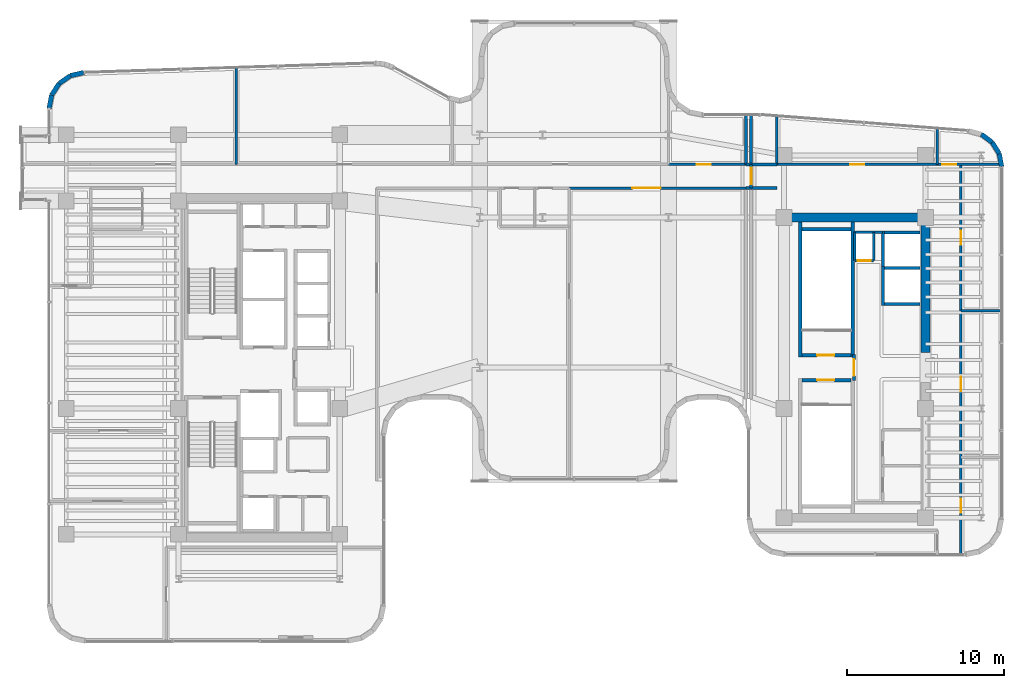
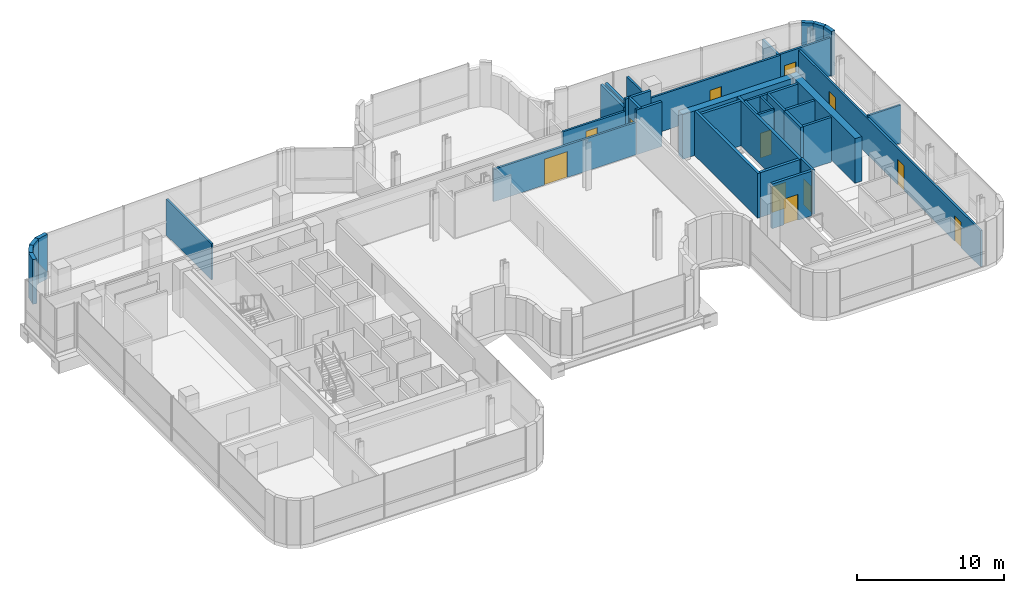
# One storey, part 30 of 35: 38 walls, 12 doors, 12 openings.
"""IFC4 building model written with IfcOpenShell, lengths in metres."""

import ifcopenshell
import ifcopenshell.guid

model = None  # the IFC model being written
_history = None  # IfcOwnerHistory: only IFC2X3 demands one
_inside = {}  # id of a spatial element -> (the spatial element, [elements in it])
_under = {}  # id of a project, library or spatial element -> (it, [spatial elements below it])
_declared = {}  # id of a project -> (the project, [libraries it declares])
_typed = {}  # id of a type object -> (the type object, [elements of that type])
_made_of = {}  # id of a material, layer set ... -> (it, [elements and type objects made of it])


def new_model(schema):
    """Start an empty IFC model of exactly this schema.

    Asked for "IFC4X3", IfcOpenShell would pick the latest addendum, in which some entities
    have other attributes; the version numbers below select the first issue.
    IFC2X3 requires an IfcOwnerHistory on every rooted entity: one is made here for all.
    """
    global model, _history
    if schema == "IFC4X3":
        model = ifcopenshell.file(schema_version=(4, 3, 0, 0))
    else:
        model = ifcopenshell.file(schema=schema)
    _inside.clear()
    _under.clear()
    _declared.clear()
    _typed.clear()
    _made_of.clear()
    _history = None
    if model.schema == "IFC2X3":
        org = make("IfcOrganization", Name="unknown")
        user = make(
            "IfcPersonAndOrganization",
            ThePerson=make("IfcPerson", FamilyName="unknown"),
            TheOrganization=org,
        )
        app = make(
            "IfcApplication",
            ApplicationDeveloper=org,
            Version="unknown",
            ApplicationFullName="unknown",
            ApplicationIdentifier="unknown",
        )
        _history = make(
            "IfcOwnerHistory",
            OwningUser=user,
            OwningApplication=app,
            ChangeAction="ADDED",
            CreationDate=0,
        )
    return model


def make(cls, **values):
    """One entity of the class cls with the attributes given. An attribute that is None is left unset."""
    return model.create_entity(
        cls, **{name: value for name, value in values.items() if value is not None}
    )


def rooted(cls, **values):
    """An entity with a GlobalId (a new one), such as an element, a storey or a relation."""
    return make(cls, GlobalId=ifcopenshell.guid.new(), OwnerHistory=_history, **values)


def si_unit(unit_type, name, prefix=None):
    """IfcSIUnit, for example si_unit("LENGTHUNIT", "METRE", prefix="MILLI")."""
    return make("IfcSIUnit", UnitType=unit_type, Prefix=prefix, Name=name)


def assignment(units):
    """IfcUnitAssignment: the units of a project."""
    return None if units is None else make("IfcUnitAssignment", Units=units)


def point(xyz):
    """IfcCartesianPoint."""
    return None if xyz is None else make("IfcCartesianPoint", Coordinates=xyz)


def direction(xyz):
    """IfcDirection."""
    return None if xyz is None else make("IfcDirection", DirectionRatios=xyz)


def frame(location, z_axis=None, x_axis=None):
    """IfcAxis2Placement3D, a coordinate frame: its origin and axes. An axis left out is left unset."""
    return make(
        "IfcAxis2Placement3D",
        Location=point(location),
        Axis=direction(z_axis),
        RefDirection=direction(x_axis),
    )


def frame_2d(location, x_axis=None):
    """IfcAxis2Placement2D, a coordinate frame in the plane: its origin and x axis."""
    return make(
        "IfcAxis2Placement2D", Location=point(location), RefDirection=direction(x_axis)
    )


def origin():
    """The frame at (0, 0, 0) with its axes left unset."""
    return frame((0.0, 0.0, 0.0))


def place(relative_to, where):
    """IfcLocalPlacement: puts the frame where relative to a parent placement (None: the world)."""
    return make(
        "IfcLocalPlacement", PlacementRelTo=relative_to, RelativePlacement=where
    )


def context(
    kind, dimensions, precision=None, world=None, true_north=None, identifier=None
):
    """IfcGeometricRepresentationContext, for example the 3D "Model" context."""
    return make(
        "IfcGeometricRepresentationContext",
        ContextIdentifier=identifier,
        ContextType=kind,
        CoordinateSpaceDimension=dimensions,
        Precision=precision,
        WorldCoordinateSystem=world,
        TrueNorth=true_north,
    )


def subcontext(parent, identifier, kind, view, scale=None):
    """IfcGeometricRepresentationSubContext, for example "Body" below "Model"."""
    return make(
        "IfcGeometricRepresentationSubContext",
        ContextIdentifier=identifier,
        ContextType=kind,
        ParentContext=parent,
        TargetScale=scale,
        TargetView=view,
    )


def project(units=None, contexts=None):
    """IfcProject with its units and contexts."""
    return rooted(
        "IfcProject",
        Name="project",
        RepresentationContexts=contexts,
        UnitsInContext=assignment(units),
    )


def spatial(cls, under=None, at=None, **own):
    """A site, building, storey or space (cls), placed at a placement, below another one or the project."""
    s = rooted(cls, ObjectPlacement=at, **own)
    if under is not None:
        _under.setdefault(under.id(), (under, []))[1].append(s)
    return s


def profile(cls, at=None, kind="AREA", **sizes):
    """A parametric profile (cls). Its sizes go by their IFC names, for example OverallWidth=200.0."""
    return make(cls, ProfileType=kind, Position=at, **sizes)


def rectangle(**sizes):
    """IfcRectangleProfileDef."""
    return profile("IfcRectangleProfileDef", **sizes)


def extrude(swept, where, along, depth):
    """IfcExtrudedAreaSolid: the profile swept, set in the frame where, extruded along a direction by depth."""
    return make(
        "IfcExtrudedAreaSolid",
        SweptArea=swept,
        Position=where,
        ExtrudedDirection=direction(along),
        Depth=depth,
    )


def shape(context_of_items, identifier, shape_type, items):
    """IfcShapeRepresentation: the items that make up one representation, for example the "Body"."""
    return make(
        "IfcShapeRepresentation",
        ContextOfItems=context_of_items,
        RepresentationIdentifier=identifier,
        RepresentationType=shape_type,
        Items=items,
    )


def material(Name=None, Category=None):
    """IfcMaterial."""
    return make("IfcMaterial", Name=Name, Category=Category)


def layer(
    of_material, thickness, ventilated=None, Name=None, Category=None, Priority=None
):
    """IfcMaterialLayer: one layer of a wall or slab, of a material (None: an air gap)."""
    return make(
        "IfcMaterialLayer",
        Material=of_material,
        LayerThickness=thickness,
        IsVentilated=ventilated,
        Name=Name,
        Category=Category,
        Priority=Priority,
    )


def layer_set(layers, Name=None):
    """IfcMaterialLayerSet."""
    return make("IfcMaterialLayerSet", MaterialLayers=layers, LayerSetName=Name)


def made_of(thing, what):
    """Note that an element or type object is made of a material, layer set ...; save() writes the relation."""
    if what is not None:
        _made_of.setdefault(what.id(), (what, []))[1].append(thing)
    return thing


def type_object(cls, material=None, **own):
    """A type object (cls), such as IfcWallType, which elements share."""
    return made_of(rooted(cls, **own), material)


def element(
    cls,
    number,
    at=None,
    inside=None,
    cuts=None,
    type_object=None,
    material=None,
    context=None,
    identifier="Body",
    shape_type=None,
    held_by="IfcProductDefinitionShape",
    body=None,
    shapes=None,
    **own,
):
    """One element of the class cls, such as IfcWall. Its Tag is "e" and its number.

    at: its placement. inside: the storey or other place that contains it. cuts: it is an
    opening in that element (IfcRelVoidsElement). A single representation is given by context,
    identifier, shape_type and body (its items); several are given by shapes. held_by: the class
    of the entity that holds the representations. save() writes the other relations.
    """
    e = rooted(cls, Tag="e%d" % number, ObjectPlacement=at, **own)
    if body is not None:
        shapes = [shape(context, identifier, shape_type, body)]
    if shapes is not None:
        e.Representation = make(held_by, Representations=shapes)
    if inside is not None:
        _inside.setdefault(inside.id(), (inside, []))[1].append(e)
    if cuts is not None:
        rooted(
            "IfcRelVoidsElement", RelatingBuildingElement=cuts, RelatedOpeningElement=e
        )
    if type_object is not None:
        _typed.setdefault(type_object.id(), (type_object, []))[1].append(e)
    return made_of(e, material)


def fill(opening, filler):
    """IfcRelFillsElement: the door or window that sits in an opening."""
    return rooted(
        "IfcRelFillsElement",
        RelatingOpeningElement=opening,
        RelatedBuildingElement=filler,
    )


def aggregate(whole, parts):
    """IfcRelAggregates: a whole, such as a stair, and the parts it consists of."""
    return rooted("IfcRelAggregates", RelatingObject=whole, RelatedObjects=parts)


def save(model, path):
    """Write the relations noted so far, then the file.

    IfcRelAggregates (storeys below a building ...), IfcRelContainedInSpatialStructure (elements
    in a storey), IfcRelDefinesByType, IfcRelAssociatesMaterial and IfcRelDeclares: one each for
    every whole, place, type object, material and project.
    """
    for whole, parts in _under.values():
        aggregate(whole, parts)
    for where, things in _inside.values():
        rooted(
            "IfcRelContainedInSpatialStructure",
            RelatedElements=things,
            RelatingStructure=where,
        )
    for kind, things in _typed.values():
        rooted("IfcRelDefinesByType", RelatedObjects=things, RelatingType=kind)
    for what, things in _made_of.values():
        rooted("IfcRelAssociatesMaterial", RelatedObjects=things, RelatingMaterial=what)
    for by, libraries in _declared.values():
        rooted("IfcRelDeclares", RelatingContext=by, RelatedDefinitions=libraries)
    model.write(path)


model = new_model("IFC4")

# Units and contexts
model_context = context("Model", 3, precision=1e-05, world=origin(), true_north=direction((0.0, 1.0)))
body_context = subcontext(model_context, "Body", "Model", "MODEL_VIEW")
ifc_project = project(units=[si_unit("LENGTHUNIT", "METRE"), si_unit("AREAUNIT", "SQUARE_METRE"), si_unit("VOLUMEUNIT", "CUBIC_METRE"), si_unit("PLANEANGLEUNIT", "RADIAN"), si_unit("MASSUNIT", "GRAM", prefix="KILO")], contexts=[model_context])

# Site, building, storey
site_placement = place(None, origin())
site = spatial("IfcSite", under=ifc_project, at=site_placement, CompositionType="ELEMENT")
building_placement = place(site_placement, origin())
building = spatial("IfcBuilding", under=site, at=building_placement, Name="Valdorenza Pilgrim Sanctuary Tower", CompositionType="ELEMENT")
storey_placement = place(building_placement, frame((0.0, 0.0, 192.35009765625)))
storey = spatial("IfcBuildingStorey", under=building, at=storey_placement, Name="L49", CompositionType="ELEMENT", Elevation=192.35009765625)

# Wall, opening, door
ifc_material_1 = material(Name="Acoustic twin-stud gypsum partition", Category="gypsum")
ifc_layer_1 = layer(ifc_material_1, 0.159912109375, Name="Acoustic twin-stud gypsum partition")
ifc_layer_set_1 = layer_set([ifc_layer_1], Name="Acoustic twin-stud gypsum partition")
wall_type_1 = type_object("IfcWallType", Name="WAL-COR-160", PredefinedType="PARTITIONING", material=ifc_layer_set_1)
wall_1_placement = place(storey_placement, frame((20.35009765625, 6.800048828125, 0.0), z_axis=(0.0, 0.0, 1.0), x_axis=(1.0, 0.0, 0.0)))
wall_1 = element("IfcWall", 1, at=wall_1_placement, inside=storey, type_object=wall_type_1, Name="L49 Core B Riser South Wall", PredefinedType="PARTITIONING", context=body_context, shape_type="SweptSolid", body=[
    extrude(rectangle(XDim=1.199951171875, YDim=0.159912109375, at=frame_2d((0.60009765625, 0.0))), origin(), (0.0, 0.0, 1.0), 3.7099609375),
])
opening_1_placement = place(wall_1_placement, frame((0.175048828125, 0.0, 0.0)))
opening_1 = element("IfcOpeningElement", 2, at=opening_1_placement, cuts=wall_1, Name="Opening DR-RS1", PredefinedType="OPENING", context=body_context, shape_type="SweptSolid", body=[
    extrude(rectangle(XDim=0.85009765625, YDim=2.050048828125, at=frame_2d((0.425048828125, 1.02490234375))), frame((0.0, 0.0947265625, 0.0), z_axis=(0.0, -1.0, 0.0), x_axis=(1.0, 0.0, 0.0)), (0.0, 0.0, 1.0), 0.189697265625),
])
ifc_material_2 = material(Name="Painted galvanized steel", Category="steel")
door_type_1 = type_object("IfcDoorType", Name="DR-RSR-850", OperationType="NOTDEFINED", PredefinedType="DOOR", material=ifc_material_2)
door_1_placement = place(opening_1_placement, origin())
door_1 = element("IfcDoor", 3, at=door_1_placement, inside=storey, type_object=door_type_1, Name="L49 Core B Electrical Riser Door", OperationType="SINGLE_SWING_RIGHT", OverallHeight=2.050048828125, OverallWidth=0.85009765625, PredefinedType="DOOR", context=body_context, shape_type="SweptSolid", body=[
    extrude(rectangle(XDim=0.85009765625, YDim=2.050048828125, at=frame_2d((0.425048828125, 1.02490234375))), frame((0.0, 0.02490234375, 0.0), z_axis=(0.0, -1.0, 0.0), x_axis=(1.0, 0.0, 0.0)), (0.0, 0.0, 1.0), 0.050048828125),
])
fill(opening_1, door_1)

# Walls
for number, where, z_axis, x_axis, name in (
    (4, (21.550048828125, 6.800048828125, 0.0), (0.0, 0.0, 1.0), (0.0, 1.0, 0.0), "L49 Core B Riser East Wall"),
    (5, (20.35009765625, 6.800048828125, 0.0), (0.0, 0.0, 1.0), (0.0, 1.0, 0.0), "L49 Core B Riser West Wall"),
):
    element("IfcWall", number, at=place(storey_placement, frame(where, z_axis=z_axis, x_axis=x_axis)), inside=storey, type_object=wall_type_1, Name=name, PredefinedType="PARTITIONING", context=body_context, shape_type="SweptSolid", body=[
        extrude(rectangle(XDim=1.800048828125, YDim=0.159912109375, at=frame_2d((0.89990234375, 0.0))), origin(), (0.0, 0.0, 1.0), 3.7099609375),
    ])
wall_2_placement = place(storey_placement, frame((20.300048828125, 8.60009765625, 0.0), z_axis=(0.0, 0.0, 1.0), x_axis=(1.0, 0.0, 0.0)))
element("IfcWall", 6, at=wall_2_placement, inside=storey, type_object=wall_type_1, Name="L49 Core B Lift Hall North End Wall", PredefinedType="PARTITIONING", context=body_context, shape_type="SweptSolid", body=[
    extrude(rectangle(XDim=1.820068359375, YDim=0.159912109375, at=frame_2d((0.91015625, 0.0))), origin(), (0.0, 0.0, 1.0), 3.7099609375),
])

# Wall, opening, door
wall_3_placement = place(storey_placement, frame((2.199951171875, 11.419921875, 0.0), z_axis=(0.0, 0.0, 1.0), x_axis=(1.0, 0.0, 0.0)))
wall_3 = element("IfcWall", 7, at=wall_3_placement, inside=storey, type_object=wall_type_1, Name="L49 Prayer Library North-East Corridor Wall", PredefinedType="PARTITIONING", context=body_context, shape_type="SweptSolid", body=[
    extrude(rectangle(XDim=11.219970703125, YDim=0.159912109375, at=frame_2d((5.60986328125, 0.0))), origin(), (0.0, 0.0, 1.0), 2.69482421875),
])
opening_2_placement = place(wall_3_placement, frame((4.0, 0.0, 0.0)))
opening_2 = element("IfcOpeningElement", 8, at=opening_2_placement, cuts=wall_3, Name="Opening DR-HL1", PredefinedType="OPENING", context=body_context, shape_type="SweptSolid", body=[
    extrude(rectangle(XDim=1.800048828125, YDim=2.14990234375, at=frame_2d((0.89990234375, 1.074951171875))), frame((0.0, 0.0947265625, 0.0), z_axis=(0.0, -1.0, 0.0), x_axis=(1.0, 0.0, 0.0)), (0.0, 0.0, 1.0), 0.189697265625),
])
ifc_material_3 = material(Name="Acoustic oak and vision-glass double door", Category="glass")
door_type_2 = type_object("IfcDoorType", Name="DR-HALL-1800", OperationType="NOTDEFINED", PredefinedType="DOOR", material=ifc_material_3)
door_2_placement = place(opening_2_placement, frame((1.800048828125, 0.0, 0.0), z_axis=(0.0, 0.0, 1.0), x_axis=(-1.0, 0.0, 0.0)))
door_2 = element("IfcDoor", 9, at=door_2_placement, inside=storey, type_object=door_type_2, Name="L49 Sacred Archive Reading Library Door", OperationType="DOUBLE_DOOR_SINGLE_SWING", OverallHeight=2.14990234375, OverallWidth=1.800048828125, PredefinedType="DOOR", context=body_context, shape_type="SweptSolid", body=[
    extrude(rectangle(XDim=1.800048828125, YDim=2.14990234375, at=frame_2d((0.89990234375, 1.074951171875))), frame((0.0, 0.02490234375, 0.0), z_axis=(0.0, -1.0, 0.0), x_axis=(1.0, 0.0, 0.0)), (0.0, 0.0, 1.0), 0.050048828125),
])
fill(opening_2, door_2)

wall_4_placement = place(storey_placement, frame((8.5, 12.919921875, 0.0), z_axis=(0.0, 0.0, 1.0), x_axis=(1.0, 0.0, 0.0)))
wall_4 = element("IfcWall", 10, at=wall_4_placement, inside=storey, type_object=wall_type_1, Name="L49 North-East Prayer Salon Corridor Wall", PredefinedType="PARTITIONING", context=body_context, shape_type="SweptSolid", body=[
    extrude(rectangle(XDim=4.919921875, YDim=0.159912109375, at=frame_2d((2.4599609375, 0.0))), origin(), (0.0, 0.0, 1.0), 2.69482421875),
])
opening_3_placement = place(wall_4_placement, frame((1.800048828125, 0.0, 0.0)))
opening_3 = element("IfcOpeningElement", 11, at=opening_3_placement, cuts=wall_4, Name="Opening DR-RM1", PredefinedType="OPENING", context=body_context, shape_type="SweptSolid", body=[
    extrude(rectangle(XDim=0.89990234375, YDim=2.10009765625, at=frame_2d((0.449951171875, 1.050048828125))), frame((0.0, 0.0947265625, 0.0), z_axis=(0.0, -1.0, 0.0), x_axis=(1.0, 0.0, 0.0)), (0.0, 0.0, 1.0), 0.189697265625),
])
ifc_material_4 = material(Name="Solid-core European oak timber", Category="wood")
door_type_3 = type_object("IfcDoorType", Name="DR-ROOM-900", OperationType="NOTDEFINED", PredefinedType="DOOR", material=ifc_material_4)
door_3_placement = place(opening_3_placement, frame((0.89990234375, 0.0, 0.0), z_axis=(0.0, 0.0, 1.0), x_axis=(-1.0, 0.0, 0.0)))
door_3 = element("IfcDoor", 12, at=door_3_placement, inside=storey, type_object=door_type_3, Name="L49 North-East Contemplation Salon Door", OperationType="SINGLE_SWING_LEFT", OverallHeight=2.10009765625, OverallWidth=0.89990234375, PredefinedType="DOOR", context=body_context, shape_type="SweptSolid", body=[
    extrude(rectangle(XDim=0.89990234375, YDim=2.10009765625, at=frame_2d((0.449951171875, 1.050048828125))), frame((0.0, 0.02490234375, 0.0), z_axis=(0.0, -1.0, 0.0), x_axis=(1.0, 0.0, 0.0)), (0.0, 0.0, 1.0), 0.050048828125),
])
fill(opening_3, door_3)

wall_5_placement = place(storey_placement, frame((15.39990234375, 12.919921875, 0.0), z_axis=(0.0, 0.0, 1.0), x_axis=(1.0, 0.0, 0.0)))
wall_5 = element("IfcWall", 13, at=wall_5_placement, inside=storey, type_object=wall_type_1, Name="L49 Wing B North Corridor Wall", PredefinedType="PARTITIONING", context=body_context, shape_type="SweptSolid", body=[
    extrude(rectangle(XDim=10.2001953125, YDim=0.159912109375, at=frame_2d((5.10009765625, 0.0))), origin(), (0.0, 0.0, 1.0), 3.083984375),
])
opening_4_placement = place(wall_5_placement, frame((4.64990234375, 0.0, 0.0)))
opening_4 = element("IfcOpeningElement", 14, at=opening_4_placement, cuts=wall_5, Name="Opening DR-RM1", PredefinedType="OPENING", context=body_context, shape_type="SweptSolid", body=[
    extrude(rectangle(XDim=0.89990234375, YDim=2.10009765625, at=frame_2d((0.449951171875, 1.050048828125))), frame((0.0, 0.0947265625, 0.0), z_axis=(0.0, -1.0, 0.0), x_axis=(1.0, 0.0, 0.0)), (0.0, 0.0, 1.0), 0.189697265625),
])
door_4_placement = place(opening_4_placement, origin())
door_4 = element("IfcDoor", 15, at=door_4_placement, inside=storey, type_object=door_type_3, Name="L49 Curator Research Office L49-BN1 Door", OperationType="SINGLE_SWING_RIGHT", OverallHeight=2.10009765625, OverallWidth=0.89990234375, PredefinedType="DOOR", context=body_context, shape_type="SweptSolid", body=[
    extrude(rectangle(XDim=0.89990234375, YDim=2.10009765625, at=frame_2d((0.449951171875, 1.050048828125))), frame((0.0, 0.02490234375, 0.0), z_axis=(0.0, -1.0, 0.0), x_axis=(1.0, 0.0, 0.0)), (0.0, 0.0, 1.0), 0.050048828125),
])
fill(opening_4, door_4)

# Walls
wall_6_placement = place(storey_placement, frame((15.39990234375, 12.919921875, 0.0), z_axis=(0.0, 0.0, 1.0), x_axis=(0.0, 1.0, 0.0)))
element("IfcWall", 16, at=wall_6_placement, inside=storey, type_object=wall_type_1, Name="L49 Wing B North West Wall", PredefinedType="PARTITIONING", context=body_context, shape_type="SweptSolid", body=[
    extrude(rectangle(XDim=3.08447265625, YDim=0.159912109375, at=frame_2d((1.542236328125, 0.0))), origin(), (0.0, 0.0, 1.0), 2.993896484375),
])
wall_7_placement = place(storey_placement, frame((25.60009765625, 12.919921875, 0.0), z_axis=(0.0, 0.0, 1.0), x_axis=(0.0, 1.0, 0.0)))
element("IfcWall", 17, at=wall_7_placement, inside=storey, type_object=wall_type_1, Name="L49 Wing B North East Wall", PredefinedType="PARTITIONING", context=body_context, shape_type="SweptSolid", body=[
    extrude(rectangle(XDim=2.294921875, YDim=0.159912109375, at=frame_2d((1.1474609375, 0.0))), origin(), (0.0, 0.0, 1.0), 2.993896484375),
])

# Wall, openings, doors
wall_8_placement = place(storey_placement, frame((27.10009765625, -11.889892578125, 0.0), z_axis=(0.0, 0.0, 1.0), x_axis=(0.0, 1.0, 0.0)))
wall_8 = element("IfcWall", 18, at=wall_8_placement, inside=storey, type_object=wall_type_1, Name="L49 Wing B East Corridor Wall", PredefinedType="PARTITIONING", context=body_context, shape_type="SweptSolid", body=[
    extrude(rectangle(XDim=24.809814453125, YDim=0.159912109375, at=frame_2d((12.40478515625, 0.0))), origin(), (0.0, 0.0, 1.0), 2.993896484375),
])
opening_5_placement = place(wall_8_placement, frame((2.64794921875, 0.0, 0.0)))
opening_5 = element("IfcOpeningElement", 19, at=opening_5_placement, cuts=wall_8, Name="Opening DR-RM1", PredefinedType="OPENING", context=body_context, shape_type="SweptSolid", body=[
    extrude(rectangle(XDim=0.89990234375, YDim=2.10009765625, at=frame_2d((0.449951171875, 1.050048828125))), frame((0.0, 0.0947265625, 0.0), z_axis=(0.0, -1.0, 0.0), x_axis=(1.0, 0.0, 0.0)), (0.0, 0.0, 1.0), 0.189697265625),
])
opening_6_placement = place(wall_8_placement, frame((10.39990234375, 0.0, 0.0)))
opening_6 = element("IfcOpeningElement", 20, at=opening_6_placement, cuts=wall_8, Name="Opening DR-RM1", PredefinedType="OPENING", context=body_context, shape_type="SweptSolid", body=[
    extrude(rectangle(XDim=0.89990234375, YDim=2.10009765625, at=frame_2d((0.449951171875, 1.050048828125))), frame((0.0, 0.0947265625, 0.0), z_axis=(0.0, -1.0, 0.0), x_axis=(1.0, 0.0, 0.0)), (0.0, 0.0, 1.0), 0.189697265625),
])
opening_7_placement = place(wall_8_placement, frame((19.70703125, 0.0, 0.0)))
opening_7 = element("IfcOpeningElement", 21, at=opening_7_placement, cuts=wall_8, Name="Opening DR-RM1", PredefinedType="OPENING", context=body_context, shape_type="SweptSolid", body=[
    extrude(rectangle(XDim=0.89990234375, YDim=2.10009765625, at=frame_2d((0.449951171875, 1.050048828125))), frame((0.0, 0.0947265625, 0.0), z_axis=(0.0, -1.0, 0.0), x_axis=(1.0, 0.0, 0.0)), (0.0, 0.0, 1.0), 0.189697265625),
])
door_5_placement = place(opening_5_placement, frame((0.89990234375, 0.0, 0.0), z_axis=(0.0, 0.0, 1.0), x_axis=(-1.0, 0.0, 0.0)))
door_5 = element("IfcDoor", 22, at=door_5_placement, inside=storey, type_object=door_type_3, Name="L49 Private Banquet Dining Room L49-EB1 Door", OperationType="SINGLE_SWING_LEFT", OverallHeight=2.10009765625, OverallWidth=0.89990234375, PredefinedType="DOOR", context=body_context, shape_type="SweptSolid", body=[
    extrude(rectangle(XDim=0.89990234375, YDim=2.10009765625, at=frame_2d((0.449951171875, 1.050048828125))), frame((0.0, 0.02490234375, 0.0), z_axis=(0.0, -1.0, 0.0), x_axis=(1.0, 0.0, 0.0)), (0.0, 0.0, 1.0), 0.050048828125),
])
fill(opening_5, door_5)
door_6_placement = place(opening_6_placement, origin())
door_6 = element("IfcDoor", 23, at=door_6_placement, inside=storey, type_object=door_type_3, Name="L49 Private Banquet Dining Room L49-EB2 Door", OperationType="SINGLE_SWING_RIGHT", OverallHeight=2.10009765625, OverallWidth=0.89990234375, PredefinedType="DOOR", context=body_context, shape_type="SweptSolid", body=[
    extrude(rectangle(XDim=0.89990234375, YDim=2.10009765625, at=frame_2d((0.449951171875, 1.050048828125))), frame((0.0, 0.02490234375, 0.0), z_axis=(0.0, -1.0, 0.0), x_axis=(1.0, 0.0, 0.0)), (0.0, 0.0, 1.0), 0.050048828125),
])
fill(opening_6, door_6)
door_7_placement = place(opening_7_placement, frame((0.89990234375, 0.0, 0.0), z_axis=(0.0, 0.0, 1.0), x_axis=(-1.0, 0.0, 0.0)))
door_7 = element("IfcDoor", 24, at=door_7_placement, inside=storey, type_object=door_type_3, Name="L49 Private Banquet Dining Room L49-EB3 Door", OperationType="SINGLE_SWING_LEFT", OverallHeight=2.10009765625, OverallWidth=0.89990234375, PredefinedType="DOOR", context=body_context, shape_type="SweptSolid", body=[
    extrude(rectangle(XDim=0.89990234375, YDim=2.10009765625, at=frame_2d((0.449951171875, 1.050048828125))), frame((0.0, 0.02490234375, 0.0), z_axis=(0.0, -1.0, 0.0), x_axis=(1.0, 0.0, 0.0)), (0.0, 0.0, 1.0), 0.050048828125),
])
fill(opening_7, door_7)

# Wall, opening, door
wall_9_placement = place(storey_placement, frame((25.60009765625, 12.919921875, 0.0), z_axis=(0.0, 0.0, 1.0), x_axis=(1.0, 0.0, 0.0)))
wall_9 = element("IfcWall", 25, at=wall_9_placement, inside=storey, type_object=wall_type_1, Name="L49 East Wing NE Corner South Wall", PredefinedType="PARTITIONING", context=body_context, shape_type="SweptSolid", body=[
    extrude(rectangle(XDim=3.93408203125, YDim=0.159912109375, at=frame_2d((1.967041015625, 0.0))), origin(), (0.0, 0.0, 1.0), 3.156005859375),
])
opening_8_placement = place(wall_9_placement, frame((0.300048828125, 0.0, 0.0)))
opening_8 = element("IfcOpeningElement", 26, at=opening_8_placement, cuts=wall_9, Name="Opening DR-RM1", PredefinedType="OPENING", context=body_context, shape_type="SweptSolid", body=[
    extrude(rectangle(XDim=0.89990234375, YDim=2.10009765625, at=frame_2d((0.449951171875, 1.050048828125))), frame((0.0, 0.0947265625, 0.0), z_axis=(0.0, -1.0, 0.0), x_axis=(1.0, 0.0, 0.0)), (0.0, 0.0, 1.0), 0.189697265625),
])
door_8_placement = place(opening_8_placement, origin())
door_8 = element("IfcDoor", 27, at=door_8_placement, inside=storey, type_object=door_type_3, Name="L49 East North Alcove Office L49 Door", OperationType="SINGLE_SWING_RIGHT", OverallHeight=2.10009765625, OverallWidth=0.89990234375, PredefinedType="DOOR", context=body_context, shape_type="SweptSolid", body=[
    extrude(rectangle(XDim=0.89990234375, YDim=2.10009765625, at=frame_2d((0.449951171875, 1.050048828125))), frame((0.0, 0.02490234375, 0.0), z_axis=(0.0, -1.0, 0.0), x_axis=(1.0, 0.0, 0.0)), (0.0, 0.0, 1.0), 0.050048828125),
])
fill(opening_8, door_8)

# Walls
ifc_material_5 = material(Name="Concrete C50/60", Category="concrete")
ifc_layer_2 = layer(ifc_material_5, 0.550048828125, Name="Concrete C50/60")
ifc_layer_set_2 = layer_set([ifc_layer_2], Name="Concrete C50/60")
wall_type_2 = type_object("IfcWallType", Name="WAL-COR-550", PredefinedType="SHEAR", material=ifc_layer_set_2)
wall_10_placement = place(storey_placement, frame((24.85009765625, 0.949951171875, 0.0), z_axis=(0.0, 0.0, 1.0), x_axis=(0.0, 1.0, 0.0)))
element("IfcWall", 28, at=wall_10_placement, inside=storey, type_object=wall_type_2, Name="L49 Split Core B Shear Wall EN", PredefinedType="SHEAR", context=body_context, shape_type="SweptSolid", body=[
    extrude(rectangle(XDim=8.875, YDim=0.550048828125, at=frame_2d((4.4375, 0.0))), origin(), (0.0, 0.0, 1.0), 3.7099609375),
])
wall_11_placement = place(storey_placement, frame((15.85009765625, 9.550048828125, 0.0), z_axis=(0.0, 0.0, 1.0), x_axis=(1.0, 0.0, 0.0)))
element("IfcWall", 29, at=wall_11_placement, inside=storey, type_object=wall_type_2, Name="L49 Split Core B Shear Wall N", PredefinedType="SHEAR", context=body_context, shape_type="SweptSolid", body=[
    extrude(rectangle(XDim=9.0, YDim=0.550048828125, at=frame_2d((4.5, 0.0))), origin(), (0.0, 0.0, 1.0), 3.7099609375),
])
ifc_material_6 = material(Name="Honed travertine limestone", Category="masonry")
ifc_layer_3 = layer(ifc_material_6, 0.300048828125, Name="Honed travertine limestone")
ifc_layer_set_3 = layer_set([ifc_layer_3], Name="Honed travertine limestone")
wall_type_3 = type_object("IfcWallType", Name="WAL-EXT-300", PredefinedType="SOLIDWALL", material=ifc_layer_set_3)
wall_12_placement = place(storey_placement, frame((-30.889892578125, 16.46630859375, 0.0), z_axis=(0.0, 0.0, 1.0), x_axis=(0.191128020887, 0.981565117367, 0.0)))
element("IfcWall", 30, at=wall_12_placement, inside=storey, type_object=wall_type_3, Name="L49 Rounded Wind-Corner Stone Pier 2", PredefinedType="SOLIDWALL", context=body_context, shape_type="SweptSolid", body=[
    extrude(rectangle(XDim=0.88525390625, YDim=0.300048828125, at=frame_2d((0.442626953125, 0.0))), origin(), (0.0, 0.0, 1.0), 3.7099609375),
])
wall_13_placement = place(storey_placement, frame((-30.720703125, 17.335205078125, 0.0), z_axis=(0.0, 0.0, 1.0), x_axis=(0.545322000684, 0.838226649284, 0.0)))
element("IfcWall", 31, at=wall_13_placement, inside=storey, type_object=wall_type_3, Name="L49 Rounded Wind-Corner Stone Pier 3", PredefinedType="SOLIDWALL", context=body_context, shape_type="SweptSolid", body=[
    extrude(rectangle(XDim=0.874267578125, YDim=0.300048828125, at=frame_2d((0.43701171875, 0.0))), origin(), (0.0, 0.0, 1.0), 3.7099609375),
])
wall_14_placement = place(storey_placement, frame((-30.243896484375, 18.068115234375, 0.0), z_axis=(0.0, 0.0, 1.0), x_axis=(0.820005059444, 0.572356272339, 0.0)))
element("IfcWall", 32, at=wall_14_placement, inside=storey, type_object=wall_type_3, Name="L49 Rounded Wind-Corner Stone Pier 4", PredefinedType="SOLIDWALL", context=body_context, shape_type="SweptSolid", body=[
    extrude(rectangle(XDim=0.87451171875, YDim=0.300048828125, at=frame_2d((0.437255859375, 0.0))), origin(), (0.0, 0.0, 1.0), 3.7099609375),
])
wall_15_placement = place(storey_placement, frame((-29.52685546875, 18.568603515625, 0.0), z_axis=(0.0, 0.0, 1.0), x_axis=(0.974798570829, 0.223086858218, 0.0)))
element("IfcWall", 33, at=wall_15_placement, inside=storey, type_object=wall_type_3, Name="L49 Rounded Wind-Corner Stone Pier 5", PredefinedType="SOLIDWALL", context=body_context, shape_type="SweptSolid", body=[
    extrude(rectangle(XDim=0.88525390625, YDim=0.300048828125, at=frame_2d((0.442626953125, 0.0))), origin(), (0.0, 0.0, 1.0), 3.7099609375),
])
wall_16_placement = place(storey_placement, frame((28.396484375, 14.838134765625, 0.0), z_axis=(0.0, 0.0, 1.0), x_axis=(0.803847397988, -0.594835574548, 0.0)))
element("IfcWall", 34, at=wall_16_placement, inside=storey, type_object=wall_type_3, Name="L49 Rounded Wind-Corner Stone Pier 34", PredefinedType="SOLIDWALL", context=body_context, shape_type="SweptSolid", body=[
    extrude(rectangle(XDim=0.84912109375, YDim=0.300048828125, at=frame_2d((0.424560546875, 0.0))), origin(), (0.0, 0.0, 1.0), 3.7099609375),
])
wall_17_placement = place(storey_placement, frame((29.0791015625, 14.3330078125, 0.0), z_axis=(0.0, 0.0, 1.0), x_axis=(0.53134147342, -0.847157741288, 0.0)))
element("IfcWall", 35, at=wall_17_placement, inside=storey, type_object=wall_type_3, Name="L49 Rounded Wind-Corner Stone Pier 35", PredefinedType="SOLIDWALL", context=body_context, shape_type="SweptSolid", body=[
    extrude(rectangle(XDim=0.849609375, YDim=0.300048828125, at=frame_2d((0.4248046875, 0.0))), origin(), (0.0, 0.0, 1.0), 3.7099609375),
])
wall_18_placement = place(storey_placement, frame((29.530517578125, 13.61328125, 0.0), z_axis=(0.0, 0.0, 1.0), x_axis=(0.185402686284, -0.982662629756, 0.0)))
element("IfcWall", 36, at=wall_18_placement, inside=storey, type_object=wall_type_3, Name="L49 Rounded Wind-Corner Stone Pier 36", PredefinedType="SOLIDWALL", context=body_context, shape_type="SweptSolid", body=[
    extrude(rectangle(XDim=0.85986328125, YDim=0.300048828125, at=frame_2d((0.429931640625, 0.0))), origin(), (0.0, 0.0, 1.0), 3.7099609375),
])

# Wall, opening, door
ifc_material_7 = material(Name="Gypsum shaftwall partition", Category="gypsum")
ifc_layer_4 = layer(ifc_material_7, 0.199951171875, Name="Gypsum shaftwall partition")
ifc_layer_set_4 = layer_set([ifc_layer_4], Name="Gypsum shaftwall partition")
wall_type_4 = type_object("IfcWallType", Name="WAL-FFL-200", PredefinedType="PARTITIONING", material=ifc_layer_set_4)
wall_19_placement = place(storey_placement, frame((20.300048828125, -0.820068359375, 0.0), z_axis=(0.0, 0.0, 1.0), x_axis=(0.0, 1.0, 0.0)))
wall_19 = element("IfcWall", 37, at=wall_19_placement, inside=storey, type_object=wall_type_4, Name="L49 Core B Firefighting Lobby East Wall", PredefinedType="PARTITIONING", context=body_context, shape_type="SweptSolid", body=[
    extrude(rectangle(XDim=1.64013671875, YDim=0.199951171875, at=frame_2d((0.820068359375, 0.0))), origin(), (0.0, 0.0, 1.0), 3.7099609375),
])
opening_9_placement = place(wall_19_placement, frame((0.294921875, 0.0, 0.0)))
opening_9 = element("IfcOpeningElement", 38, at=opening_9_placement, cuts=wall_19, Name="Opening DR-FL1", PredefinedType="OPENING", context=body_context, shape_type="SweptSolid", body=[
    extrude(rectangle(XDim=1.050048828125, YDim=2.14990234375, at=frame_2d((0.52490234375, 1.074951171875))), frame((0.0, 0.11474609375, 0.0), z_axis=(0.0, -1.0, 0.0), x_axis=(1.0, 0.0, 0.0)), (0.0, 0.0, 1.0), 0.229736328125),
])
door_type_4 = type_object("IfcDoorType", Name="DR-FFL-1050", OperationType="NOTDEFINED", PredefinedType="DOOR", material=ifc_material_2)
door_9_placement = place(opening_9_placement, frame((1.050048828125, 0.0, 0.0), z_axis=(0.0, 0.0, 1.0), x_axis=(-1.0, 0.0, 0.0)))
door_9 = element("IfcDoor", 39, at=door_9_placement, inside=storey, type_object=door_type_4, Name="L49 Core B Firefighting Lobby Door", OperationType="SINGLE_SWING_LEFT", OverallHeight=2.14990234375, OverallWidth=1.050048828125, PredefinedType="DOOR", context=body_context, shape_type="SweptSolid", body=[
    extrude(rectangle(XDim=1.050048828125, YDim=2.14990234375, at=frame_2d((0.52490234375, 1.074951171875))), frame((0.0, 0.02490234375, 0.0), z_axis=(0.0, -1.0, 0.0), x_axis=(1.0, 0.0, 0.0)), (0.0, 0.0, 1.0), 0.050048828125),
])
fill(opening_9, door_9)

# Walls
for number, where, z_axis, x_axis, name in (
    (40, (13.419921875, 12.919921875, 0.0), (0.0, 0.0, 1.0), (0.0, 1.0, 0.0), "L49 North-East Joint West Wall"),
    (41, (13.760009765625, 12.919921875, 0.0), (0.0, 0.0, 1.0), (0.0, 1.0, 0.0), "L49 North-East Joint East Wall"),
):
    element("IfcWall", number, at=place(storey_placement, frame(where, z_axis=z_axis, x_axis=x_axis)), inside=storey, type_object=wall_type_4, Name=name, PredefinedType="PARTITIONING", context=body_context, shape_type="SweptSolid", body=[
        extrude(rectangle(XDim=3.170166015625, YDim=0.199951171875, at=frame_2d((1.5849609375, 0.0))), origin(), (0.0, 0.0, 1.0), 2.993896484375),
    ])
for number, where, z_axis, x_axis, name in (
    (42, (13.419921875, 12.919921875, 0.0), (0.0, 0.0, 1.0), (1.0, 0.0, 0.0), "L49 L49 Bridge Joint Corridor North Wall"),
    (43, (13.419921875, 11.419921875, 0.0), (0.0, 0.0, 1.0), (1.0, 0.0, 0.0), "L49 L49 Bridge Joint Corridor South Wall"),
):
    element("IfcWall", number, at=place(storey_placement, frame(where, z_axis=z_axis, x_axis=x_axis)), inside=storey, type_object=wall_type_4, Name=name, PredefinedType="PARTITIONING", context=body_context, shape_type="SweptSolid", body=[
        extrude(rectangle(XDim=1.97998046875, YDim=0.199951171875, at=frame_2d((0.989990234375, 0.0))), origin(), (0.0, 0.0, 1.0), 3.7099609375),
    ])

# Wall, opening, door
wall_20_placement = place(storey_placement, frame((13.760009765625, 11.419921875, 0.0), z_axis=(0.0, 0.0, 1.0), x_axis=(0.0, 1.0, 0.0)))
wall_20 = element("IfcWall", 44, at=wall_20_placement, inside=storey, type_object=wall_type_4, Name="L49 L49 Bridge Joint Threshold Fire Wall", PredefinedType="PARTITIONING", context=body_context, shape_type="SweptSolid", body=[
    extrude(rectangle(XDim=1.5, YDim=0.199951171875, at=frame_2d((0.75, 0.0))), origin(), (0.0, 0.0, 1.0), 3.7099609375),
])
opening_10_placement = place(wall_20_placement, frame((0.22509765625, 0.0, 0.0)))
opening_10 = element("IfcOpeningElement", 45, at=opening_10_placement, cuts=wall_20, Name="Opening DR-FL1", PredefinedType="OPENING", context=body_context, shape_type="SweptSolid", body=[
    extrude(rectangle(XDim=1.050048828125, YDim=2.14990234375, at=frame_2d((0.52490234375, 1.074951171875))), frame((0.0, 0.11474609375, 0.0), z_axis=(0.0, -1.0, 0.0), x_axis=(1.0, 0.0, 0.0)), (0.0, 0.0, 1.0), 0.229736328125),
])
door_10_placement = place(opening_10_placement, origin())
door_10 = element("IfcDoor", 46, at=door_10_placement, inside=storey, type_object=door_type_4, Name="L49 L49 Bridge Movement-Joint Threshold Door", OperationType="SINGLE_SWING_RIGHT", OverallHeight=2.14990234375, OverallWidth=1.050048828125, PredefinedType="DOOR", context=body_context, shape_type="SweptSolid", body=[
    extrude(rectangle(XDim=1.050048828125, YDim=2.14990234375, at=frame_2d((0.52490234375, 1.074951171875))), frame((0.0, 0.02490234375, 0.0), z_axis=(0.0, -1.0, 0.0), x_axis=(1.0, 0.0, 0.0)), (0.0, 0.0, 1.0), 0.050048828125),
])
fill(opening_10, door_10)

# Walls
ifc_material_8 = material(Name="Autoclaved aerated concrete blockwork", Category="masonry")
ifc_layer_5 = layer(ifc_material_8, 0.199951171875, Name="Autoclaved aerated concrete blockwork")
ifc_layer_set_5 = layer_set([ifc_layer_5], Name="Autoclaved aerated concrete blockwork")
wall_type_5 = type_object("IfcWallType", Name="WAL-SHF-200", PredefinedType="MOVABLE", material=ifc_layer_set_5)
wall_21_placement = place(storey_placement, frame((22.14990234375, 3.949951171875, 0.0), z_axis=(0.0, 0.0, 1.0), x_axis=(0.0, 1.0, 0.0)))
element("IfcWall", 47, at=wall_21_placement, inside=storey, type_object=wall_type_5, Name="L49 Lift PL-07 Hoistway Wall West", PredefinedType="MOVABLE", context=body_context, shape_type="SweptSolid", body=[
    extrude(rectangle(XDim=2.47509765625, YDim=0.199951171875, at=frame_2d((1.237548828125, 0.0))), origin(), (0.0, 0.0, 1.0), 3.7099609375),
])
for number, where, z_axis, x_axis, name in (
    (48, (22.25, 4.050048828125, 0.0), (0.0, 0.0, 1.0), (1.0, 0.0, 0.0), "L49 Lift PL-07 Hoistway Wall South"),
    (49, (22.25, 6.324951171875, 0.0), (0.0, 0.0, 1.0), (1.0, 0.0, 0.0), "L49 Lift PL-07 Hoistway Wall North"),
):
    element("IfcWall", number, at=place(storey_placement, frame(where, z_axis=z_axis, x_axis=x_axis)), inside=storey, type_object=wall_type_5, Name=name, PredefinedType="MOVABLE", context=body_context, shape_type="SweptSolid", body=[
        extrude(rectangle(XDim=2.22998046875, YDim=0.199951171875, at=frame_2d((1.114990234375, 0.0))), origin(), (0.0, 0.0, 1.0), 3.7099609375),
    ])
wall_22_placement = place(storey_placement, frame((22.14990234375, 6.22509765625, 0.0), z_axis=(0.0, 0.0, 1.0), x_axis=(0.0, 1.0, 0.0)))
element("IfcWall", 50, at=wall_22_placement, inside=storey, type_object=wall_type_5, Name="L49 Lift PL-08 Hoistway Wall West", PredefinedType="MOVABLE", context=body_context, shape_type="SweptSolid", body=[
    extrude(rectangle(XDim=2.474853515625, YDim=0.199951171875, at=frame_2d((1.2373046875, 0.0))), origin(), (0.0, 0.0, 1.0), 3.7099609375),
])
wall_23_placement = place(storey_placement, frame((22.25, 8.60009765625, 0.0), z_axis=(0.0, 0.0, 1.0), x_axis=(1.0, 0.0, 0.0)))
element("IfcWall", 51, at=wall_23_placement, inside=storey, type_object=wall_type_5, Name="L49 Lift PL-08 Hoistway Wall North", PredefinedType="MOVABLE", context=body_context, shape_type="SweptSolid", body=[
    extrude(rectangle(XDim=2.22998046875, YDim=0.199951171875, at=frame_2d((1.114990234375, 0.0))), origin(), (0.0, 0.0, 1.0), 3.7099609375),
])
ifc_material_9 = material(Name="Concrete C40/50", Category="concrete")
ifc_layer_6 = layer(ifc_material_9, 0.219970703125, Name="Concrete C40/50")
ifc_layer_set_6 = layer_set([ifc_layer_6], Name="Concrete C40/50")
wall_type_6 = type_object("IfcWallType", Name="WAL-STR-SHF-220", PredefinedType="SHEAR", material=ifc_layer_set_6)
for number, where, z_axis, x_axis, name in (
    (52, (16.889892578125, 0.679931640625, 0.0), (0.0, 0.0, 1.0), (0.0, 1.0, 0.0), "L49 ST-B1 Structural Stairwell Wall W"),
    (53, (20.219970703125, 0.679931640625, 0.0), (0.0, 0.0, 1.0), (0.0, 1.0, 0.0), "L49 ST-B1 Structural Stairwell Wall E"),
):
    element("IfcWall", number, at=place(storey_placement, frame(where, z_axis=z_axis, x_axis=x_axis)), inside=storey, type_object=wall_type_6, Name=name, PredefinedType="SHEAR", context=body_context, shape_type="SweptSolid", body=[
        extrude(rectangle(XDim=8.594970703125, YDim=0.219970703125, at=frame_2d((4.29736328125, 0.0))), origin(), (0.0, 0.0, 1.0), 3.7099609375),
    ])

# Wall, opening, door
wall_24_placement = place(storey_placement, frame((17.0, 0.7900390625, 0.0), z_axis=(0.0, 0.0, 1.0), x_axis=(1.0, 0.0, 0.0)))
wall_24 = element("IfcWall", 54, at=wall_24_placement, inside=storey, type_object=wall_type_6, Name="L49 ST-B1 Structural Stairwell Wall S", PredefinedType="SHEAR", context=body_context, shape_type="SweptSolid", body=[
    extrude(rectangle(XDim=3.110107421875, YDim=0.219970703125, at=frame_2d((1.55517578125, 0.0))), origin(), (0.0, 0.0, 1.0), 3.7099609375),
])
opening_11_placement = place(wall_24_placement, frame((0.949951171875, 0.0, 0.0)))
opening_11 = element("IfcOpeningElement", 55, at=opening_11_placement, cuts=wall_24, Name="Opening DR-ST1", PredefinedType="OPENING", context=body_context, shape_type="SweptSolid", body=[
    extrude(rectangle(XDim=1.10009765625, YDim=2.14990234375, at=frame_2d((0.550048828125, 1.074951171875))), frame((0.0, 0.125, 0.0), z_axis=(0.0, -1.0, 0.0), x_axis=(1.0, 0.0, 0.0)), (0.0, 0.0, 1.0), 0.249755859375),
])
door_type_5 = type_object("IfcDoorType", Name="DR-STAIR-1100", OperationType="NOTDEFINED", PredefinedType="DOOR", material=ifc_material_2)
door_11_placement = place(opening_11_placement, origin())
door_11 = element("IfcDoor", 56, at=door_11_placement, inside=storey, type_object=door_type_5, Name="L49 Exit Stair ST-B1 Door", OperationType="SINGLE_SWING_RIGHT", OverallHeight=2.14990234375, OverallWidth=1.10009765625, PredefinedType="DOOR", context=body_context, shape_type="SweptSolid", body=[
    extrude(rectangle(XDim=1.10009765625, YDim=2.14990234375, at=frame_2d((0.550048828125, 1.074951171875))), frame((0.0, 0.02490234375, 0.0), z_axis=(0.0, -1.0, 0.0), x_axis=(1.0, 0.0, 0.0)), (0.0, 0.0, 1.0), 0.050048828125),
])
fill(opening_11, door_11)

# Wall
wall_25_placement = place(storey_placement, frame((17.0, 8.81005859375, 0.0), z_axis=(0.0, 0.0, 1.0), x_axis=(1.0, 0.0, 0.0)))
element("IfcWall", 57, at=wall_25_placement, inside=storey, type_object=wall_type_6, Name="L49 ST-B1 Structural Stairwell Wall N", PredefinedType="SHEAR", context=body_context, shape_type="SweptSolid", body=[
    extrude(rectangle(XDim=3.110107421875, YDim=0.219970703125, at=frame_2d((1.55517578125, 0.0))), origin(), (0.0, 0.0, 1.0), 3.7099609375),
])

# Wall, opening, door
wall_26_placement = place(storey_placement, frame((17.0, -0.7900390625, 0.0), z_axis=(0.0, 0.0, 1.0), x_axis=(1.0, 0.0, 0.0)))
wall_26 = element("IfcWall", 58, at=wall_26_placement, inside=storey, type_object=wall_type_6, Name="L49 ST-B2 Structural Stairwell Wall N", PredefinedType="SHEAR", context=body_context, shape_type="SweptSolid", body=[
    extrude(rectangle(XDim=3.110107421875, YDim=0.219970703125, at=frame_2d((1.55517578125, 0.0))), origin(), (0.0, 0.0, 1.0), 3.7099609375),
])
opening_12_placement = place(wall_26_placement, frame((0.949951171875, 0.0, 0.0)))
opening_12 = element("IfcOpeningElement", 59, at=opening_12_placement, cuts=wall_26, Name="Opening DR-ST1", PredefinedType="OPENING", context=body_context, shape_type="SweptSolid", body=[
    extrude(rectangle(XDim=1.10009765625, YDim=2.14990234375, at=frame_2d((0.550048828125, 1.074951171875))), frame((0.0, 0.125, 0.0), z_axis=(0.0, -1.0, 0.0), x_axis=(1.0, 0.0, 0.0)), (0.0, 0.0, 1.0), 0.249755859375),
])
door_12_placement = place(opening_12_placement, frame((1.10009765625, 0.0, 0.0), z_axis=(0.0, 0.0, 1.0), x_axis=(-1.0, 0.0, 0.0)))
door_12 = element("IfcDoor", 60, at=door_12_placement, inside=storey, type_object=door_type_5, Name="L49 Exit Stair ST-B2 Door", OperationType="SINGLE_SWING_LEFT", OverallHeight=2.14990234375, OverallWidth=1.10009765625, PredefinedType="DOOR", context=body_context, shape_type="SweptSolid", body=[
    extrude(rectangle(XDim=1.10009765625, YDim=2.14990234375, at=frame_2d((0.550048828125, 1.074951171875))), frame((0.0, 0.02490234375, 0.0), z_axis=(0.0, -1.0, 0.0), x_axis=(1.0, 0.0, 0.0)), (0.0, 0.0, 1.0), 0.050048828125),
])
fill(opening_12, door_12)

# Walls
ifc_layer_7 = layer(ifc_material_1, 0.14990234375, Name="Acoustic twin-stud gypsum partition")
ifc_layer_set_7 = layer_set([ifc_layer_7], Name="Acoustic twin-stud gypsum partition")
wall_type_7 = type_object("IfcWallType", Name="WAL-UNT-150", PredefinedType="PARTITIONING", material=ifc_layer_set_7)
wall_27_placement = place(storey_placement, frame((-18.993408203125, 12.919921875, 0.0), z_axis=(0.0, 0.0, 1.0), x_axis=(0.0, 1.0, 0.0)))
element("IfcWall", 61, at=wall_27_placement, inside=storey, type_object=wall_type_7, Name="L49 Private Banquet Dining Room L49-N2 Demising Wall", PredefinedType="PARTITIONING", context=body_context, shape_type="SweptSolid", body=[
    extrude(rectangle(XDim=6.160888671875, YDim=0.14990234375, at=frame_2d((3.08056640625, 0.0))), origin(), (0.0, 0.0, 1.0), 2.993896484375),
])
wall_28_placement = place(storey_placement, frame((27.10009765625, 3.61328125, 0.0), z_axis=(0.0, 0.0, 1.0), x_axis=(1.0, 0.0, 0.0)))
element("IfcWall", 62, at=wall_28_placement, inside=storey, type_object=wall_type_7, Name="L49 Private Banquet Dining Room L49-EB3 Demising Wall", PredefinedType="PARTITIONING", context=body_context, shape_type="SweptSolid", body=[
    extrude(rectangle(XDim=2.58984375, YDim=0.14990234375, at=frame_2d((1.294921875, 0.0))), origin(), (0.0, 0.0, 1.0), 3.156005859375),
])

save(model, "model.ifc")
